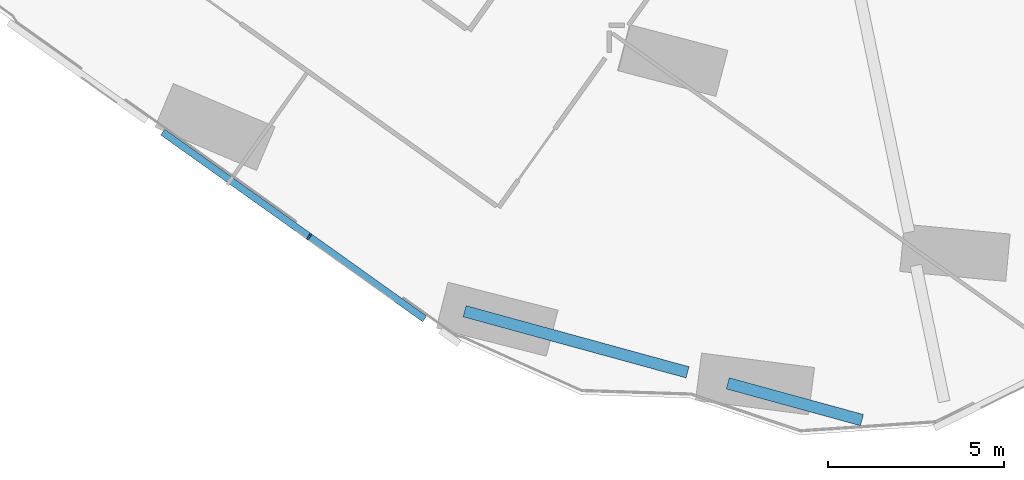
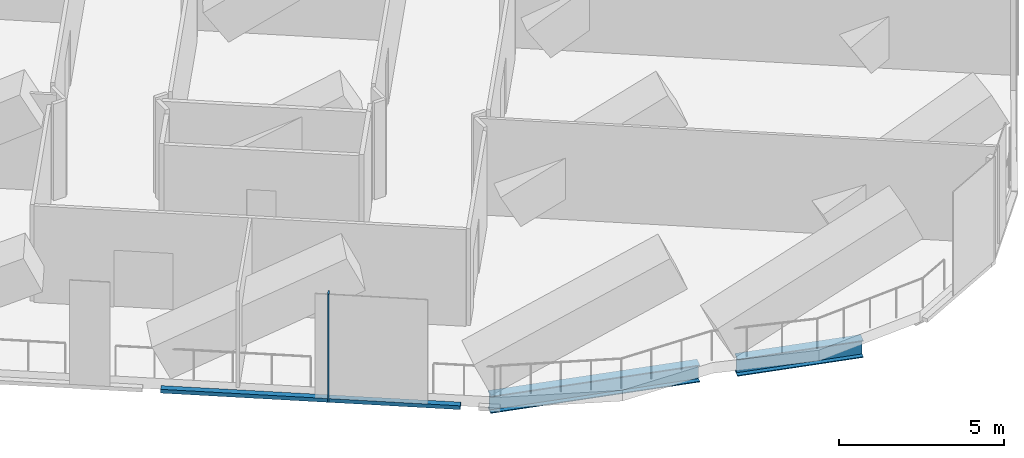
# One storey, part 3 of 34: 2 beams, 2 members, 1 element without a shape of its own.
"""IFC4 building model written with IfcOpenShell, lengths in metres."""

from ifc_helpers import new_model, si_unit, direction, frame, origin, origin_2d, place, context, subcontext, project, spatial, rectangle, i_section, extrude, material, material_profile, profile_set, type_object, element, aggregate, save


model = new_model("IFC4")

# Units and contexts
model_context = context("Model", 3, precision=1e-05, world=origin(), true_north=direction((0.0, 1.0)))
body_context = subcontext(model_context, "Body", "Model", "MODEL_VIEW")
ifc_project = project(units=[si_unit("LENGTHUNIT", "METRE"), si_unit("AREAUNIT", "SQUARE_METRE"), si_unit("VOLUMEUNIT", "CUBIC_METRE"), si_unit("PLANEANGLEUNIT", "RADIAN"), si_unit("MASSUNIT", "GRAM", prefix="KILO")], contexts=[model_context])

# Site, building, storey
site_placement = place(None, origin())
site = spatial("IfcSite", under=ifc_project, at=site_placement, CompositionType="ELEMENT")
building_placement = place(site_placement, origin())
building = spatial("IfcBuilding", under=site, at=building_placement, Name="Orlundy Tower", CompositionType="ELEMENT")
storey_placement = place(building_placement, frame((0.0, 0.0, 98.199951171875)))
storey = spatial("IfcBuildingStorey", under=building, at=storey_placement, Name="L24", CompositionType="ELEMENT", Elevation=98.199951171875)

# Beams
ifc_material_1 = material(Name="Steel ASTM A992 Gr 50", Category="steel")
ifc_material_profile_1 = material_profile(ifc_material_1, i_section(OverallWidth=0.3291015625, OverallDepth=0.635009765625, WebThickness=0.017822265625, FlangeThickness=0.031005859375, at=origin_2d()), Name="W24X162")
ifc_profile_set_1 = profile_set([ifc_material_profile_1], Name="Steel ASTM A992 Gr 50")
beam_type = type_object("IfcBeamType", Name="CANTILEVER GIRDER beam W24X162", PredefinedType="BEAM", material=ifc_profile_set_1)
beam_1_placement = place(storey_placement, frame((-15.218505859375, -57.59521484375, -0.717529296875), z_axis=(-0.964455049961, 0.264246961391, 0.0), x_axis=(-0.264246961391, -0.964455049961, 0.0)))
element("IfcBeam", 1, at=beam_1_placement, inside=storey, type_object=beam_type, Name="Cantilever girder C-B5-5 L24", PredefinedType="BEAM", context=body_context, shape_type="SweptSolid", body=[
    extrude(i_section(OverallWidth=0.3291015625, OverallDepth=0.635009765625, WebThickness=0.017822265625, FlangeThickness=0.031005859375, at=origin_2d()), origin(), (0.0, 0.0, 1.0), 3.94970703125),
])
beam_2_placement = place(storey_placement, frame((-20.170166015625, -56.238525390625, -0.717529296875), z_axis=(-0.964445561857, 0.264281588869, 0.0), x_axis=(-0.264281588869, -0.964445561857, 0.0)))
element("IfcBeam", 2, at=beam_2_placement, inside=storey, type_object=beam_type, Name="Back-span girder C-B5-5 L24", PredefinedType="BEAM", context=body_context, shape_type="SweptSolid", body=[
    extrude(i_section(OverallWidth=0.3291015625, OverallDepth=0.635009765625, WebThickness=0.017822265625, FlangeThickness=0.031005859375, at=origin_2d()), origin(), (0.0, 0.0, 1.0), 6.564453125),
])

# Curtain wall, members
ifc_material_2 = material(Name="Aluminium bronze anodised", Category="aluminium")
curtain_wall_type = type_object("IfcCurtainWallType", Name="CW5 wall", PredefinedType="NOTDEFINED", material=ifc_material_2)
curtain_wall_placement = place(storey_placement, origin())
curtain_wall = element("IfcCurtainWall", 3, at=curtain_wall_placement, inside=storey, type_object=curtain_wall_type, Name="CW5 run 07", PredefinedType="NOTDEFINED")
ifc_material_3 = material(Name="Aluminium bronze anodised", Category="aluminium")
ifc_material_profile_2 = material_profile(ifc_material_3, rectangle(XDim=0.199951171875, YDim=0.050048828125, at=origin_2d()), Name="CW5 mullion 50x200")
ifc_profile_set_2 = profile_set([ifc_material_profile_2], Name="Aluminium bronze anodised")
member_type_1 = type_object("IfcMemberType", Name="CW5 mullion 50x200", PredefinedType="MULLION", material=ifc_profile_set_2)
member_1_placement = place(storey_placement, frame((-30.916259765625, -52.384033203125, -0.39990234375), z_axis=(0.0, 0.0, 1.0), x_axis=(-0.580665978686, -0.814141892545, 0.0)))
member_1 = element("IfcMember", 4, at=member_1_placement, type_object=member_type_1, Name="CW5 mullion 13", PredefinedType="MULLION", context=body_context, shape_type="SweptSolid", body=[
    extrude(rectangle(XDim=0.199951171875, YDim=0.050048828125, at=origin_2d()), origin(), (0.0, 0.0, 1.0), 4.0),
])
ifc_material_4 = material(Name="Aluminium bronze anodised", Category="aluminium")
ifc_material_profile_3 = material_profile(ifc_material_4, rectangle(XDim=0.199951171875, YDim=0.139892578125, at=origin_2d()), Name="CW5 transom 200x140")
ifc_profile_set_3 = profile_set([ifc_material_profile_3], Name="Aluminium bronze anodised")
member_type_2 = type_object("IfcMemberType", Name="CW5 transom 200x140", PredefinedType="USERDEFINED", material=ifc_profile_set_3)
member_2_placement = place(storey_placement, frame((-27.636962890625, -54.722900390625, -0.329833984375), z_axis=(-0.814141190093, 0.580666963581, 0.0), x_axis=(-0.580666963581, -0.814141190093, 0.0)))
member_2 = element("IfcMember", 5, at=member_2_placement, type_object=member_type_2, Name="CW5 transom", ObjectType="TRANSOM", PredefinedType="USERDEFINED", context=body_context, shape_type="SweptSolid", body=[
    extrude(rectangle(XDim=0.199951171875, YDim=0.139892578125, at=origin_2d()), origin(), (0.0, 0.0, 1.0), 9.139404296875),
])
aggregate(curtain_wall, [member_1, member_2])

save(model, "model.ifc")
